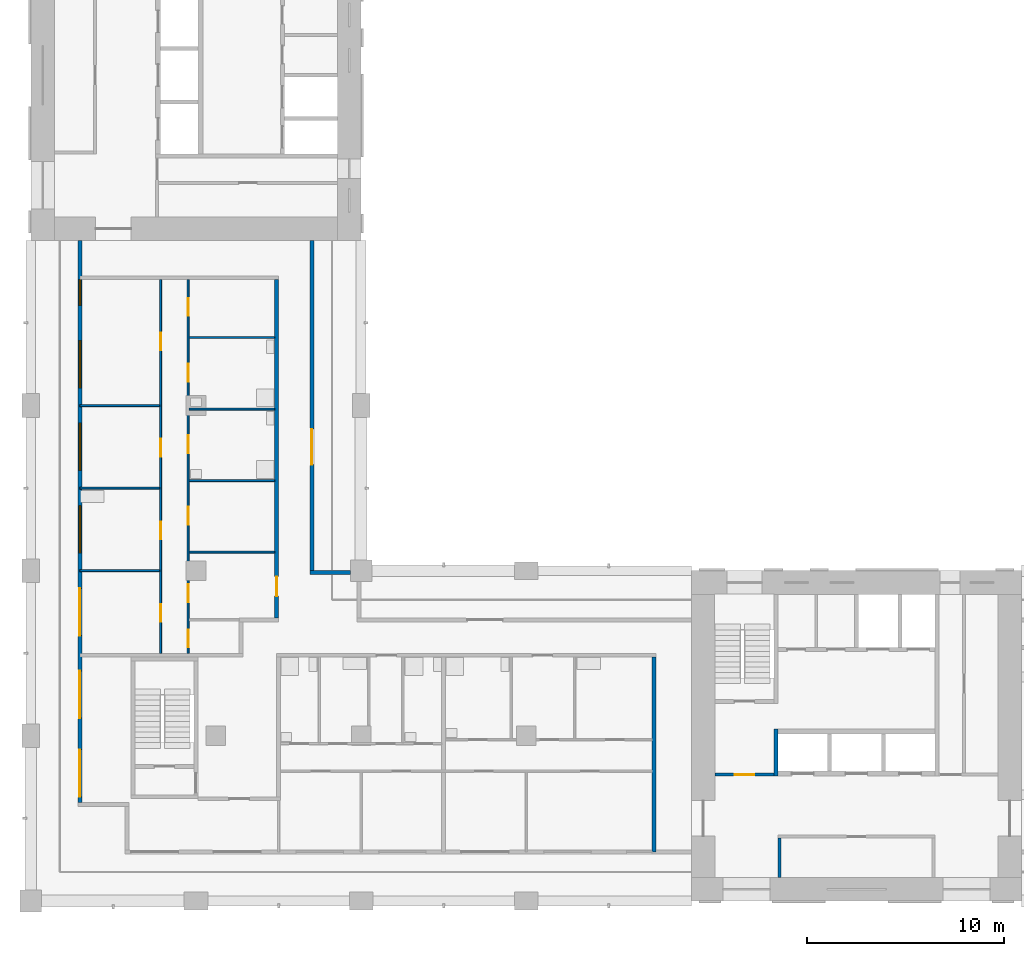
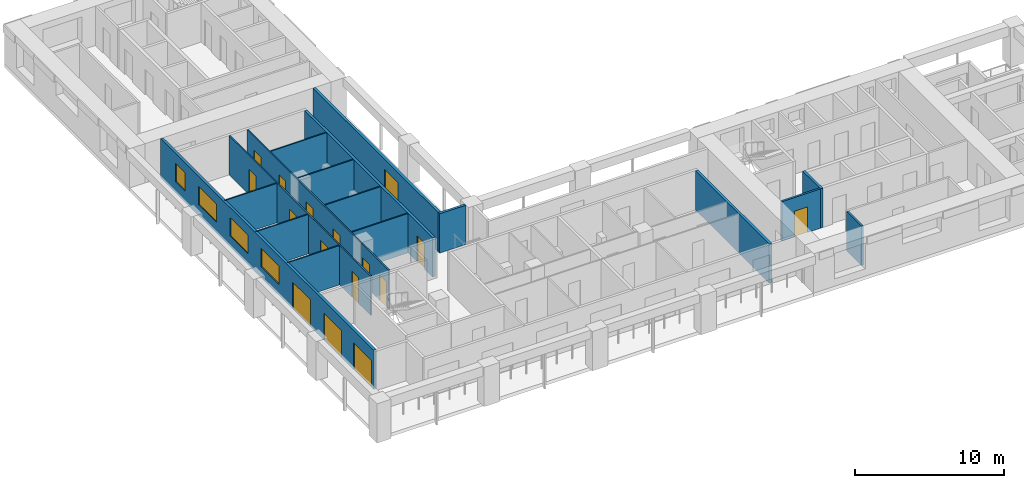
# One storey, part 3 of 10: 17 walls, 16 doors, 4 windows, 20 openings.
"""IFC4 building model written with IfcOpenShell, lengths in metres."""

from ifc_helpers import new_model, si_unit, direction, frame, frame_2d, origin, place, context, subcontext, project, spatial, rectangle, extrude, material, layer, layer_set, type_object, element, fill, save


model = new_model("IFC4")

# Units and contexts
model_context = context("Model", 3, precision=1e-05, world=origin(), true_north=direction((0.0, 1.0)))
body_context = subcontext(model_context, "Body", "Model", "MODEL_VIEW")
ifc_project = project(units=[si_unit("LENGTHUNIT", "METRE"), si_unit("AREAUNIT", "SQUARE_METRE"), si_unit("VOLUMEUNIT", "CUBIC_METRE"), si_unit("PLANEANGLEUNIT", "RADIAN"), si_unit("MASSUNIT", "GRAM", prefix="KILO")], contexts=[model_context])

# Site, building, storey
site_placement = place(None, origin())
site = spatial("IfcSite", under=ifc_project, at=site_placement, CompositionType="ELEMENT")
building_placement = place(site_placement, origin())
building = spatial("IfcBuilding", under=site, at=building_placement, Name="Vermilion Gate Residences", CompositionType="ELEMENT")
storey_placement = place(building_placement, frame((0.0, 0.0, 168.699951171875)))
storey = spatial("IfcBuildingStorey", under=building, at=storey_placement, Name="L43", CompositionType="ELEMENT", Elevation=168.699951171875)

# Wall
ifc_material_1 = material(Name="Masonry blockwork", Category="masonry")
ifc_layer_1 = layer(ifc_material_1, 0.14990234375)
ifc_layer_set_1 = layer_set([ifc_layer_1], Name="BLOCKWORK PARTITION 150 EI 120")
wall_type_1 = type_object("IfcWallType", Name="BLOCKWORK PARTITION 150 EI 120", PredefinedType="PARTITIONING", material=ifc_layer_set_1)
wall_1_placement = place(storey_placement, frame((46.47509765625, 9.60009765625, 0.0), z_axis=(0.0, 0.0, 1.0), x_axis=(0.0, 1.0, 0.0)))
element("IfcWall", 1, at=wall_1_placement, inside=storey, type_object=wall_type_1, Name="Core room partition A43-RW-W", PredefinedType="PARTITIONING", context=body_context, shape_type="SweptSolid", body=[
    extrude(rectangle(XDim=2.0, YDim=0.14990234375, at=frame_2d((1.0, 0.0))), origin(), (0.0, 0.0, 1.0), 3.219970703125),
])

# Wall, opening, door
wall_2_placement = place(storey_placement, frame((43.199951171875, 14.824951171875, 0.0), z_axis=(0.0, 0.0, 1.0), x_axis=(1.0, 0.0, 0.0)))
wall_2 = element("IfcWall", 2, at=wall_2_placement, inside=storey, type_object=wall_type_1, Name="Core room partition A43-VW-S", PredefinedType="PARTITIONING", context=body_context, shape_type="SweptSolid", body=[
    extrude(rectangle(XDim=3.0, YDim=0.14990234375, at=frame_2d((1.5, 0.0))), origin(), (0.0, 0.0, 1.0), 3.219970703125),
])
opening_1_placement = place(wall_2_placement, frame((1.0, 0.0, 0.0)))
opening_1 = element("IfcOpeningElement", 3, at=opening_1_placement, cuts=wall_2, Name="Opening DK43011", PredefinedType="OPENING", context=body_context, shape_type="SweptSolid", body=[
    extrude(rectangle(XDim=1.0, YDim=2.10009765625, at=frame_2d((0.5, 1.050048828125))), frame((0.0, 0.0849609375, 0.0), z_axis=(0.0, -1.0, 0.0), x_axis=(1.0, 0.0, 0.0)), (0.0, 0.0, 1.0), 0.169921875),
])
ifc_material_2 = material(Name="Steel", Category="steel")
door_type_1 = type_object("IfcDoorType", Name="FIRE DOOR FD60 1000 X 2100", OperationType="SINGLE_SWING_LEFT", PredefinedType="DOOR", material=ifc_material_2)
door_1_placement = place(opening_1_placement, frame((1.0, 0.0, 0.0), z_axis=(0.0, 0.0, 1.0), x_axis=(-1.0, 0.0, 0.0)))
door_1 = element("IfcDoor", 4, at=door_1_placement, inside=storey, type_object=door_type_1, Name="Stair vestibule door A43", OperationType="SINGLE_SWING_RIGHT", OverallHeight=2.10009765625, OverallWidth=1.0, PredefinedType="DOOR", context=body_context, shape_type="SweptSolid", body=[
    extrude(rectangle(XDim=1.0, YDim=2.10009765625, at=frame_2d((0.5, 1.050048828125))), frame((0.0, 0.02490234375, 0.0), z_axis=(0.0, -1.0, 0.0), x_axis=(1.0, 0.0, 0.0)), (0.0, 0.0, 1.0), 0.050048828125),
])
fill(opening_1, door_1)

# Wall, openings, doors, windows
ifc_material_3 = material(Name="Insulated steel stud wall with terracotta rainscreen", Category="masonry")
ifc_layer_2 = layer(ifc_material_3, 0.199951171875)
ifc_layer_set_2 = layer_set([ifc_layer_2], Name="EXTERNAL WALL 200 TERRACOTTA RAINSCREEN")
wall_type_2 = type_object("IfcWallType", Name="EXTERNAL WALL 200 TERRACOTTA RAINSCREEN", PredefinedType="SOLIDWALL", material=ifc_layer_set_2)
wall_3_placement = place(storey_placement, frame((10.89990234375, 42.0, 0.0), z_axis=(0.0, 0.0, 1.0), x_axis=(0.0, -1.0, 0.0)))
wall_3 = element("IfcWall", 5, at=wall_3_placement, inside=storey, type_object=wall_type_2, Name="External wall", PredefinedType="SOLIDWALL", context=body_context, shape_type="SweptSolid", body=[
    extrude(rectangle(XDim=28.60009765625, YDim=0.199951171875, at=frame_2d((14.300048828125, 0.0))), origin(), (0.0, 0.0, 1.0), 3.219970703125),
])
opening_2_placement = place(wall_3_placement, frame((25.89990234375, 0.0, 0.0)))
opening_2 = element("IfcOpeningElement", 6, at=opening_2_placement, cuts=wall_3, Name="Opening DE43001", PredefinedType="OPENING", context=body_context, shape_type="SweptSolid", body=[
    extrude(rectangle(XDim=2.39990234375, YDim=2.199951171875, at=frame_2d((1.199951171875, 1.10009765625))), frame((0.0, 0.10986328125, 0.0), z_axis=(0.0, -1.0, 0.0), x_axis=(1.0, 0.0, 0.0)), (0.0, 0.0, 1.0), 0.219970703125),
])
opening_3_placement = place(wall_3_placement, frame((21.89990234375, 0.0, 0.0)))
opening_3 = element("IfcOpeningElement", 7, at=opening_3_placement, cuts=wall_3, Name="Opening DE43002", PredefinedType="OPENING", context=body_context, shape_type="SweptSolid", body=[
    extrude(rectangle(XDim=2.39990234375, YDim=2.199951171875, at=frame_2d((1.199951171875, 1.10009765625))), frame((0.0, 0.10986328125, 0.0), z_axis=(0.0, -1.0, 0.0), x_axis=(1.0, 0.0, 0.0)), (0.0, 0.0, 1.0), 0.219970703125),
])
opening_4_placement = place(wall_3_placement, frame((17.699951171875, 0.0, 0.0)))
opening_4 = element("IfcOpeningElement", 8, at=opening_4_placement, cuts=wall_3, Name="Opening DE43003", PredefinedType="OPENING", context=body_context, shape_type="SweptSolid", body=[
    extrude(rectangle(XDim=2.39990234375, YDim=2.199951171875, at=frame_2d((1.199951171875, 1.10009765625))), frame((0.0, 0.10986328125, 0.0), z_axis=(0.0, -1.0, 0.0), x_axis=(1.0, 0.0, 0.0)), (0.0, 0.0, 1.0), 0.219970703125),
])
opening_5_placement = place(wall_3_placement, frame((13.5, 0.0, 0.89990234375)))
opening_5 = element("IfcOpeningElement", 9, at=opening_5_placement, cuts=wall_3, Name="Opening WE43004", PredefinedType="OPENING", context=body_context, shape_type="SweptSolid", body=[
    extrude(rectangle(XDim=2.39990234375, YDim=1.5, at=frame_2d((1.199951171875, 0.75))), frame((0.0, 0.10986328125, 0.0), z_axis=(0.0, -1.0, 0.0), x_axis=(1.0, 0.0, 0.0)), (0.0, 0.0, 1.0), 0.219970703125),
])
opening_6_placement = place(wall_3_placement, frame((9.300048828125, 0.0, 0.89990234375)))
opening_6 = element("IfcOpeningElement", 10, at=opening_6_placement, cuts=wall_3, Name="Opening WE43005", PredefinedType="OPENING", context=body_context, shape_type="SweptSolid", body=[
    extrude(rectangle(XDim=2.39990234375, YDim=1.5, at=frame_2d((1.199951171875, 0.75))), frame((0.0, 0.10986328125, 0.0), z_axis=(0.0, -1.0, 0.0), x_axis=(1.0, 0.0, 0.0)), (0.0, 0.0, 1.0), 0.219970703125),
])
opening_7_placement = place(wall_3_placement, frame((5.10009765625, 0.0, 0.89990234375)))
opening_7 = element("IfcOpeningElement", 11, at=opening_7_placement, cuts=wall_3, Name="Opening WE43006", PredefinedType="OPENING", context=body_context, shape_type="SweptSolid", body=[
    extrude(rectangle(XDim=2.39990234375, YDim=1.5, at=frame_2d((1.199951171875, 0.75))), frame((0.0, 0.10986328125, 0.0), z_axis=(0.0, -1.0, 0.0), x_axis=(1.0, 0.0, 0.0)), (0.0, 0.0, 1.0), 0.219970703125),
])
opening_8_placement = place(wall_3_placement, frame((2.0, 0.0, 0.89990234375)))
opening_8 = element("IfcOpeningElement", 12, at=opening_8_placement, cuts=wall_3, Name="Opening WE43007", PredefinedType="OPENING", context=body_context, shape_type="SweptSolid", body=[
    extrude(rectangle(XDim=1.300048828125, YDim=1.5, at=frame_2d((0.64990234375, 0.75))), frame((0.0, 0.10986328125, 0.0), z_axis=(0.0, -1.0, 0.0), x_axis=(1.0, 0.0, 0.0)), (0.0, 0.0, 1.0), 0.219970703125),
])
ifc_material_4 = material(Name="Aluminium and clear glass", Category="aluminium")
door_type_2 = type_object("IfcDoorType", Name="SLIDING GLAZED DOOR 2400 X 2200", OperationType="DOUBLE_DOOR_SLIDING", PredefinedType="DOOR", material=ifc_material_4)
door_2_placement = place(opening_2_placement, origin())
door_2 = element("IfcDoor", 13, at=door_2_placement, inside=storey, type_object=door_type_2, Name="Loggia sliding door", OperationType="DOUBLE_DOOR_SLIDING", OverallHeight=2.199951171875, OverallWidth=2.39990234375, PredefinedType="DOOR", context=body_context, shape_type="SweptSolid", body=[
    extrude(rectangle(XDim=2.39990234375, YDim=2.199951171875, at=frame_2d((1.199951171875, 1.10009765625))), frame((0.0, 0.02490234375, 0.0), z_axis=(0.0, -1.0, 0.0), x_axis=(1.0, 0.0, 0.0)), (0.0, 0.0, 1.0), 0.050048828125),
])
fill(opening_2, door_2)
door_3_placement = place(opening_3_placement, origin())
door_3 = element("IfcDoor", 14, at=door_3_placement, inside=storey, type_object=door_type_2, Name="Loggia sliding door", OperationType="DOUBLE_DOOR_SLIDING", OverallHeight=2.199951171875, OverallWidth=2.39990234375, PredefinedType="DOOR", context=body_context, shape_type="SweptSolid", body=[
    extrude(rectangle(XDim=2.39990234375, YDim=2.199951171875, at=frame_2d((1.199951171875, 1.10009765625))), frame((0.0, 0.02490234375, 0.0), z_axis=(0.0, -1.0, 0.0), x_axis=(1.0, 0.0, 0.0)), (0.0, 0.0, 1.0), 0.050048828125),
])
fill(opening_3, door_3)
door_4_placement = place(opening_4_placement, origin())
door_4 = element("IfcDoor", 15, at=door_4_placement, inside=storey, type_object=door_type_2, Name="Loggia sliding door", OperationType="DOUBLE_DOOR_SLIDING", OverallHeight=2.199951171875, OverallWidth=2.39990234375, PredefinedType="DOOR", context=body_context, shape_type="SweptSolid", body=[
    extrude(rectangle(XDim=2.39990234375, YDim=2.199951171875, at=frame_2d((1.199951171875, 1.10009765625))), frame((0.0, 0.02490234375, 0.0), z_axis=(0.0, -1.0, 0.0), x_axis=(1.0, 0.0, 0.0)), (0.0, 0.0, 1.0), 0.050048828125),
])
fill(opening_4, door_4)
ifc_material_5 = material(Name="Aluminium and clear glass", Category="aluminium")
window_type_1 = type_object("IfcWindowType", Name="WINDOW 1300 X 1500", PartitioningType="SINGLE_PANEL", PredefinedType="WINDOW", material=ifc_material_5)
window_1_placement = place(opening_8_placement, origin())
window_1 = element("IfcWindow", 16, at=window_1_placement, inside=storey, type_object=window_type_1, Name="Window", OverallHeight=1.5, OverallWidth=1.300048828125, PartitioningType="SINGLE_PANEL", PredefinedType="WINDOW", context=body_context, shape_type="SweptSolid", body=[
    extrude(rectangle(XDim=1.300048828125, YDim=1.5, at=frame_2d((0.64990234375, 0.75))), frame((0.0, 0.030029296875, 0.0), z_axis=(0.0, -1.0, 0.0), x_axis=(1.0, 0.0, 0.0)), (0.0, 0.0, 1.0), 0.06005859375),
])
fill(opening_8, window_1)
ifc_material_6 = material(Name="Aluminium and clear glass", Category="aluminium")
window_type_2 = type_object("IfcWindowType", Name="WINDOW 2400 X 1500", PartitioningType="SINGLE_PANEL", PredefinedType="WINDOW", material=ifc_material_6)
window_2_placement = place(opening_5_placement, origin())
window_2 = element("IfcWindow", 17, at=window_2_placement, inside=storey, type_object=window_type_2, Name="Window", OverallHeight=1.5, OverallWidth=2.39990234375, PartitioningType="SINGLE_PANEL", PredefinedType="WINDOW", context=body_context, shape_type="SweptSolid", body=[
    extrude(rectangle(XDim=2.39990234375, YDim=1.5, at=frame_2d((1.199951171875, 0.75))), frame((0.0, 0.030029296875, 0.0), z_axis=(0.0, -1.0, 0.0), x_axis=(1.0, 0.0, 0.0)), (0.0, 0.0, 1.0), 0.06005859375),
])
fill(opening_5, window_2)
window_3_placement = place(opening_6_placement, origin())
window_3 = element("IfcWindow", 18, at=window_3_placement, inside=storey, type_object=window_type_2, Name="Window", OverallHeight=1.5, OverallWidth=2.39990234375, PartitioningType="SINGLE_PANEL", PredefinedType="WINDOW", context=body_context, shape_type="SweptSolid", body=[
    extrude(rectangle(XDim=2.39990234375, YDim=1.5, at=frame_2d((1.199951171875, 0.75))), frame((0.0, 0.030029296875, 0.0), z_axis=(0.0, -1.0, 0.0), x_axis=(1.0, 0.0, 0.0)), (0.0, 0.0, 1.0), 0.06005859375),
])
fill(opening_6, window_3)
window_4_placement = place(opening_7_placement, origin())
window_4 = element("IfcWindow", 19, at=window_4_placement, inside=storey, type_object=window_type_2, Name="Window", OverallHeight=1.5, OverallWidth=2.39990234375, PartitioningType="SINGLE_PANEL", PredefinedType="WINDOW", context=body_context, shape_type="SweptSolid", body=[
    extrude(rectangle(XDim=2.39990234375, YDim=1.5, at=frame_2d((1.199951171875, 0.75))), frame((0.0, 0.030029296875, 0.0), z_axis=(0.0, -1.0, 0.0), x_axis=(1.0, 0.0, 0.0)), (0.0, 0.0, 1.0), 0.06005859375),
])
fill(opening_7, window_4)

# Wall
wall_4_placement = place(storey_placement, frame((24.64990234375, 25.10009765625, 0.0), z_axis=(0.0, 0.0, 1.0), x_axis=(-1.0, 0.0, 0.0)))
element("IfcWall", 20, at=wall_4_placement, inside=storey, type_object=wall_type_2, Name="External wall", PredefinedType="SOLIDWALL", context=body_context, shape_type="SweptSolid", body=[
    extrude(rectangle(XDim=2.0498046875, YDim=0.199951171875, at=frame_2d((1.02490234375, 0.0))), origin(), (0.0, 0.0, 1.0), 3.219970703125),
])

# Wall, opening, door
wall_5_placement = place(storey_placement, frame((22.699951171875, 25.199951171875, 0.0), z_axis=(0.0, 0.0, 1.0), x_axis=(0.0, 1.0, 0.0)))
wall_5 = element("IfcWall", 21, at=wall_5_placement, inside=storey, type_object=wall_type_2, Name="External wall", PredefinedType="SOLIDWALL", context=body_context, shape_type="SweptSolid", body=[
    extrude(rectangle(XDim=16.800048828125, YDim=0.199951171875, at=frame_2d((8.39990234375, 0.0))), origin(), (0.0, 0.0, 1.0), 3.219970703125),
])
opening_9_placement = place(wall_5_placement, frame((5.39990234375, 0.0, 0.0)))
opening_9 = element("IfcOpeningElement", 22, at=opening_9_placement, cuts=wall_5, Name="Opening DE43021", PredefinedType="OPENING", context=body_context, shape_type="SweptSolid", body=[
    extrude(rectangle(XDim=1.800048828125, YDim=2.39990234375, at=frame_2d((0.89990234375, 1.199951171875))), frame((0.0, 0.10986328125, 0.0), z_axis=(0.0, -1.0, 0.0), x_axis=(1.0, 0.0, 0.0)), (0.0, 0.0, 1.0), 0.219970703125),
])
ifc_material_7 = material(Name="Aluminium and clear glass", Category="aluminium")
door_type_3 = type_object("IfcDoorType", Name="GLAZED EXTERNAL DOOR 1800 X 2400", OperationType="DOUBLE_DOOR_SINGLE_SWING", PredefinedType="DOOR", material=ifc_material_7)
door_5_placement = place(opening_9_placement, frame((1.800048828125, 0.0, 0.0), z_axis=(0.0, 0.0, 1.0), x_axis=(-1.0, 0.0, 0.0)))
door_5 = element("IfcDoor", 23, at=door_5_placement, inside=storey, type_object=door_type_3, Name="Gallery door", OperationType="DOUBLE_DOOR_SINGLE_SWING", OverallHeight=2.39990234375, OverallWidth=1.800048828125, PredefinedType="DOOR", context=body_context, shape_type="SweptSolid", body=[
    extrude(rectangle(XDim=1.800048828125, YDim=2.39990234375, at=frame_2d((0.89990234375, 1.199951171875))), frame((0.0, 0.02490234375, 0.0), z_axis=(0.0, -1.0, 0.0), x_axis=(1.0, 0.0, 0.0)), (0.0, 0.0, 1.0), 0.050048828125),
])
fill(opening_9, door_5)

# Walls
ifc_material_8 = material(Name="Plasterboard on steel studs", Category="steel")
ifc_layer_3 = layer(ifc_material_8, 0.10009765625)
ifc_layer_set_3 = layer_set([ifc_layer_3], Name="PARTITION 100")
wall_type_3 = type_object("IfcWallType", Name="PARTITION 100", PredefinedType="PARTITIONING", material=ifc_layer_set_3)
wall_6_placement = place(storey_placement, frame((10.89990234375, 25.199951171875, 0.0), z_axis=(0.0, 0.0, 1.0), x_axis=(1.0, 0.0, 0.0)))
element("IfcWall", 24, at=wall_6_placement, inside=storey, type_object=wall_type_3, Name="Partition", PredefinedType="PARTITIONING", context=body_context, shape_type="SweptSolid", body=[
    extrude(rectangle(XDim=4.050048828125, YDim=0.10009765625, at=frame_2d((2.02490234375, 0.0))), origin(), (0.0, 0.0, 1.0), 3.219970703125),
])
wall_7_placement = place(storey_placement, frame((16.449951171875, 26.139892578125, 0.0), z_axis=(0.0, 0.0, 1.0), x_axis=(1.0, 0.0, 0.0)))
element("IfcWall", 25, at=wall_7_placement, inside=storey, type_object=wall_type_3, Name="Partition", PredefinedType="PARTITIONING", context=body_context, shape_type="SweptSolid", body=[
    extrude(rectangle(XDim=4.35009765625, YDim=0.10009765625, at=frame_2d((2.175048828125, 0.0))), origin(), (0.0, 0.0, 1.0), 3.219970703125),
])
wall_8_placement = place(storey_placement, frame((10.89990234375, 29.39990234375, 0.0), z_axis=(0.0, 0.0, 1.0), x_axis=(1.0, 0.0, 0.0)))
element("IfcWall", 26, at=wall_8_placement, inside=storey, type_object=wall_type_3, Name="Partition", PredefinedType="PARTITIONING", context=body_context, shape_type="SweptSolid", body=[
    extrude(rectangle(XDim=4.050048828125, YDim=0.10009765625, at=frame_2d((2.02490234375, 0.0))), origin(), (0.0, 0.0, 1.0), 3.219970703125),
])
for number, where, z_axis, x_axis, name in (
    (27, (16.449951171875, 29.780029296875, 0.0), (0.0, 0.0, 1.0), (1.0, 0.0, 0.0), "Partition"),
    (28, (16.449951171875, 33.419921875, 0.0), (0.0, 0.0, 1.0), (1.0, 0.0, 0.0), "Partition"),
):
    element("IfcWall", number, at=place(storey_placement, frame(where, z_axis=z_axis, x_axis=x_axis)), inside=storey, type_object=wall_type_3, Name=name, PredefinedType="PARTITIONING", context=body_context, shape_type="SweptSolid", body=[
        extrude(rectangle(XDim=4.35009765625, YDim=0.10009765625, at=frame_2d((2.175048828125, 0.0))), origin(), (0.0, 0.0, 1.0), 3.219970703125),
    ])
wall_9_placement = place(storey_placement, frame((10.89990234375, 33.60009765625, 0.0), z_axis=(0.0, 0.0, 1.0), x_axis=(1.0, 0.0, 0.0)))
element("IfcWall", 29, at=wall_9_placement, inside=storey, type_object=wall_type_3, Name="Partition", PredefinedType="PARTITIONING", context=body_context, shape_type="SweptSolid", body=[
    extrude(rectangle(XDim=4.050048828125, YDim=0.10009765625, at=frame_2d((2.02490234375, 0.0))), origin(), (0.0, 0.0, 1.0), 3.219970703125),
])
wall_10_placement = place(storey_placement, frame((16.449951171875, 37.06005859375, 0.0), z_axis=(0.0, 0.0, 1.0), x_axis=(1.0, 0.0, 0.0)))
element("IfcWall", 30, at=wall_10_placement, inside=storey, type_object=wall_type_3, Name="Partition", PredefinedType="PARTITIONING", context=body_context, shape_type="SweptSolid", body=[
    extrude(rectangle(XDim=4.35009765625, YDim=0.10009765625, at=frame_2d((2.175048828125, 0.0))), origin(), (0.0, 0.0, 1.0), 3.219970703125),
])

# Wall, openings, doors
wall_11_placement = place(storey_placement, frame((15.0, 21.0, 0.0), z_axis=(0.0, 0.0, 1.0), x_axis=(0.0, 1.0, 0.0)))
wall_11 = element("IfcWall", 31, at=wall_11_placement, inside=storey, type_object=wall_type_3, Name="Partition", PredefinedType="PARTITIONING", context=body_context, shape_type="SweptSolid", body=[
    extrude(rectangle(XDim=19.0, YDim=0.10009765625, at=frame_2d((9.5, 0.0))), origin(), (0.0, 0.0, 1.0), 3.219970703125),
])
opening_10_placement = place(wall_11_placement, frame((1.60009765625, 0.0, 0.0)))
opening_10 = element("IfcOpeningElement", 32, at=opening_10_placement, cuts=wall_11, Name="Opening DA43015", PredefinedType="OPENING", context=body_context, shape_type="SweptSolid", body=[
    extrude(rectangle(XDim=0.89990234375, YDim=2.10009765625, at=frame_2d((0.449951171875, 1.050048828125))), frame((0.0, 0.06005859375, 0.0), z_axis=(0.0, -1.0, 0.0), x_axis=(1.0, 0.0, 0.0)), (0.0, 0.0, 1.0), 0.1201171875),
])
opening_11_placement = place(wall_11_placement, frame((5.800048828125, 0.0, 0.0)))
opening_11 = element("IfcOpeningElement", 33, at=opening_11_placement, cuts=wall_11, Name="Opening DA43016", PredefinedType="OPENING", context=body_context, shape_type="SweptSolid", body=[
    extrude(rectangle(XDim=0.89990234375, YDim=2.10009765625, at=frame_2d((0.449951171875, 1.050048828125))), frame((0.0, 0.06005859375, 0.0), z_axis=(0.0, -1.0, 0.0), x_axis=(1.0, 0.0, 0.0)), (0.0, 0.0, 1.0), 0.1201171875),
])
opening_12_placement = place(wall_11_placement, frame((10.0, 0.0, 0.0)))
opening_12 = element("IfcOpeningElement", 34, at=opening_12_placement, cuts=wall_11, Name="Opening DA43017", PredefinedType="OPENING", context=body_context, shape_type="SweptSolid", body=[
    extrude(rectangle(XDim=0.89990234375, YDim=2.10009765625, at=frame_2d((0.449951171875, 1.050048828125))), frame((0.0, 0.06005859375, 0.0), z_axis=(0.0, -1.0, 0.0), x_axis=(1.0, 0.0, 0.0)), (0.0, 0.0, 1.0), 0.1201171875),
])
opening_13_placement = place(wall_11_placement, frame((15.39990234375, 0.0, 0.0)))
opening_13 = element("IfcOpeningElement", 35, at=opening_13_placement, cuts=wall_11, Name="Opening DA43018", PredefinedType="OPENING", context=body_context, shape_type="SweptSolid", body=[
    extrude(rectangle(XDim=0.89990234375, YDim=2.10009765625, at=frame_2d((0.449951171875, 1.050048828125))), frame((0.0, 0.06005859375, 0.0), z_axis=(0.0, -1.0, 0.0), x_axis=(1.0, 0.0, 0.0)), (0.0, 0.0, 1.0), 0.1201171875),
])
ifc_material_9 = material(Name="Timber", Category="wood")
door_type_4 = type_object("IfcDoorType", Name="INTERIOR DOOR 900 X 2100", OperationType="SINGLE_SWING_LEFT", PredefinedType="DOOR", material=ifc_material_9)
door_6_placement = place(opening_10_placement, origin())
door_6 = element("IfcDoor", 36, at=door_6_placement, inside=storey, type_object=door_type_4, Name="Interior door", OperationType="SINGLE_SWING_LEFT", OverallHeight=2.10009765625, OverallWidth=0.89990234375, PredefinedType="DOOR", context=body_context, shape_type="SweptSolid", body=[
    extrude(rectangle(XDim=0.89990234375, YDim=2.10009765625, at=frame_2d((0.449951171875, 1.050048828125))), frame((0.0, 0.02490234375, 0.0), z_axis=(0.0, -1.0, 0.0), x_axis=(1.0, 0.0, 0.0)), (0.0, 0.0, 1.0), 0.050048828125),
])
fill(opening_10, door_6)
door_7_placement = place(opening_11_placement, origin())
door_7 = element("IfcDoor", 37, at=door_7_placement, inside=storey, type_object=door_type_4, Name="Interior door", OperationType="SINGLE_SWING_LEFT", OverallHeight=2.10009765625, OverallWidth=0.89990234375, PredefinedType="DOOR", context=body_context, shape_type="SweptSolid", body=[
    extrude(rectangle(XDim=0.89990234375, YDim=2.10009765625, at=frame_2d((0.449951171875, 1.050048828125))), frame((0.0, 0.02490234375, 0.0), z_axis=(0.0, -1.0, 0.0), x_axis=(1.0, 0.0, 0.0)), (0.0, 0.0, 1.0), 0.050048828125),
])
fill(opening_11, door_7)
door_8_placement = place(opening_12_placement, origin())
door_8 = element("IfcDoor", 38, at=door_8_placement, inside=storey, type_object=door_type_4, Name="Interior door", OperationType="SINGLE_SWING_LEFT", OverallHeight=2.10009765625, OverallWidth=0.89990234375, PredefinedType="DOOR", context=body_context, shape_type="SweptSolid", body=[
    extrude(rectangle(XDim=0.89990234375, YDim=2.10009765625, at=frame_2d((0.449951171875, 1.050048828125))), frame((0.0, 0.02490234375, 0.0), z_axis=(0.0, -1.0, 0.0), x_axis=(1.0, 0.0, 0.0)), (0.0, 0.0, 1.0), 0.050048828125),
])
fill(opening_12, door_8)
door_9_placement = place(opening_13_placement, origin())
door_9 = element("IfcDoor", 39, at=door_9_placement, inside=storey, type_object=door_type_4, Name="Interior door", OperationType="SINGLE_SWING_RIGHT", OverallHeight=2.10009765625, OverallWidth=0.89990234375, PredefinedType="DOOR", context=body_context, shape_type="SweptSolid", body=[
    extrude(rectangle(XDim=0.89990234375, YDim=2.10009765625, at=frame_2d((0.449951171875, 1.050048828125))), frame((0.0, 0.02490234375, 0.0), z_axis=(0.0, -1.0, 0.0), x_axis=(1.0, 0.0, 0.0)), (0.0, 0.0, 1.0), 0.050048828125),
])
fill(opening_13, door_9)

wall_12_placement = place(storey_placement, frame((16.39990234375, 21.0, 0.0), z_axis=(0.0, 0.0, 1.0), x_axis=(0.0, 1.0, 0.0)))
wall_12 = element("IfcWall", 40, at=wall_12_placement, inside=storey, type_object=wall_type_3, Name="Partition", PredefinedType="PARTITIONING", context=body_context, shape_type="SweptSolid", body=[
    extrude(rectangle(XDim=19.0, YDim=0.10009765625, at=frame_2d((9.5, 0.0))), origin(), (0.0, 0.0, 1.0), 3.219970703125),
])
opening_14_placement = place(wall_12_placement, frame((2.60009765625, 0.0, 0.0)))
opening_14 = element("IfcOpeningElement", 41, at=opening_14_placement, cuts=wall_12, Name="Opening DA43019", PredefinedType="OPENING", context=body_context, shape_type="SweptSolid", body=[
    extrude(rectangle(XDim=0.89990234375, YDim=2.10009765625, at=frame_2d((0.449951171875, 1.050048828125))), frame((0.0, 0.06005859375, 0.0), z_axis=(0.0, -1.0, 0.0), x_axis=(1.0, 0.0, 0.0)), (0.0, 0.0, 1.0), 0.1201171875),
])
opening_15_placement = place(wall_12_placement, frame((0.300048828125, 0.0, 0.0)))
opening_15 = element("IfcOpeningElement", 42, at=opening_15_placement, cuts=wall_12, Name="Opening DA43020", PredefinedType="OPENING", context=body_context, shape_type="SweptSolid", body=[
    extrude(rectangle(XDim=0.89990234375, YDim=2.10009765625, at=frame_2d((0.449951171875, 1.050048828125))), frame((0.0, 0.06005859375, 0.0), z_axis=(0.0, -1.0, 0.0), x_axis=(1.0, 0.0, 0.0)), (0.0, 0.0, 1.0), 0.1201171875),
])
opening_16_placement = place(wall_12_placement, frame((6.5400390625, 0.0, 0.0)))
opening_16 = element("IfcOpeningElement", 43, at=opening_16_placement, cuts=wall_12, Name="Opening DA43021", PredefinedType="OPENING", context=body_context, shape_type="SweptSolid", body=[
    extrude(rectangle(XDim=0.89990234375, YDim=2.10009765625, at=frame_2d((0.449951171875, 1.050048828125))), frame((0.0, 0.06005859375, 0.0), z_axis=(0.0, -1.0, 0.0), x_axis=(1.0, 0.0, 0.0)), (0.0, 0.0, 1.0), 0.1201171875),
])
opening_17_placement = place(wall_12_placement, frame((10.179931640625, 0.0, 0.0)))
opening_17 = element("IfcOpeningElement", 44, at=opening_17_placement, cuts=wall_12, Name="Opening DA43022", PredefinedType="OPENING", context=body_context, shape_type="SweptSolid", body=[
    extrude(rectangle(XDim=0.89990234375, YDim=2.10009765625, at=frame_2d((0.449951171875, 1.050048828125))), frame((0.0, 0.06005859375, 0.0), z_axis=(0.0, -1.0, 0.0), x_axis=(1.0, 0.0, 0.0)), (0.0, 0.0, 1.0), 0.1201171875),
])
opening_18_placement = place(wall_12_placement, frame((13.820068359375, 0.0, 0.0)))
opening_18 = element("IfcOpeningElement", 45, at=opening_18_placement, cuts=wall_12, Name="Opening DA43023", PredefinedType="OPENING", context=body_context, shape_type="SweptSolid", body=[
    extrude(rectangle(XDim=0.89990234375, YDim=2.10009765625, at=frame_2d((0.449951171875, 1.050048828125))), frame((0.0, 0.06005859375, 0.0), z_axis=(0.0, -1.0, 0.0), x_axis=(1.0, 0.0, 0.0)), (0.0, 0.0, 1.0), 0.1201171875),
])
opening_19_placement = place(wall_12_placement, frame((17.159912109375, 0.0, 0.0)))
opening_19 = element("IfcOpeningElement", 46, at=opening_19_placement, cuts=wall_12, Name="Opening DA43024", PredefinedType="OPENING", context=body_context, shape_type="SweptSolid", body=[
    extrude(rectangle(XDim=0.89990234375, YDim=2.10009765625, at=frame_2d((0.449951171875, 1.050048828125))), frame((0.0, 0.06005859375, 0.0), z_axis=(0.0, -1.0, 0.0), x_axis=(1.0, 0.0, 0.0)), (0.0, 0.0, 1.0), 0.1201171875),
])
door_10_placement = place(opening_14_placement, frame((0.89990234375, 0.0, 0.0), z_axis=(0.0, 0.0, 1.0), x_axis=(-1.0, 0.0, 0.0)))
door_10 = element("IfcDoor", 47, at=door_10_placement, inside=storey, type_object=door_type_4, Name="Interior door", OperationType="SINGLE_SWING_LEFT", OverallHeight=2.10009765625, OverallWidth=0.89990234375, PredefinedType="DOOR", context=body_context, shape_type="SweptSolid", body=[
    extrude(rectangle(XDim=0.89990234375, YDim=2.10009765625, at=frame_2d((0.449951171875, 1.050048828125))), frame((0.0, 0.02490234375, 0.0), z_axis=(0.0, -1.0, 0.0), x_axis=(1.0, 0.0, 0.0)), (0.0, 0.0, 1.0), 0.050048828125),
])
fill(opening_14, door_10)
door_11_placement = place(opening_15_placement, frame((0.89990234375, 0.0, 0.0), z_axis=(0.0, 0.0, 1.0), x_axis=(-1.0, 0.0, 0.0)))
door_11 = element("IfcDoor", 48, at=door_11_placement, inside=storey, type_object=door_type_4, Name="Interior door", OperationType="SINGLE_SWING_RIGHT", OverallHeight=2.10009765625, OverallWidth=0.89990234375, PredefinedType="DOOR", context=body_context, shape_type="SweptSolid", body=[
    extrude(rectangle(XDim=0.89990234375, YDim=2.10009765625, at=frame_2d((0.449951171875, 1.050048828125))), frame((0.0, 0.02490234375, 0.0), z_axis=(0.0, -1.0, 0.0), x_axis=(1.0, 0.0, 0.0)), (0.0, 0.0, 1.0), 0.050048828125),
])
fill(opening_15, door_11)
door_12_placement = place(opening_16_placement, frame((0.89990234375, 0.0, 0.0), z_axis=(0.0, 0.0, 1.0), x_axis=(-1.0, 0.0, 0.0)))
door_12 = element("IfcDoor", 49, at=door_12_placement, inside=storey, type_object=door_type_4, Name="Interior door", OperationType="SINGLE_SWING_LEFT", OverallHeight=2.10009765625, OverallWidth=0.89990234375, PredefinedType="DOOR", context=body_context, shape_type="SweptSolid", body=[
    extrude(rectangle(XDim=0.89990234375, YDim=2.10009765625, at=frame_2d((0.449951171875, 1.050048828125))), frame((0.0, 0.02490234375, 0.0), z_axis=(0.0, -1.0, 0.0), x_axis=(1.0, 0.0, 0.0)), (0.0, 0.0, 1.0), 0.050048828125),
])
fill(opening_16, door_12)
door_13_placement = place(opening_17_placement, frame((0.89990234375, 0.0, 0.0), z_axis=(0.0, 0.0, 1.0), x_axis=(-1.0, 0.0, 0.0)))
door_13 = element("IfcDoor", 50, at=door_13_placement, inside=storey, type_object=door_type_4, Name="Interior door", OperationType="SINGLE_SWING_RIGHT", OverallHeight=2.10009765625, OverallWidth=0.89990234375, PredefinedType="DOOR", context=body_context, shape_type="SweptSolid", body=[
    extrude(rectangle(XDim=0.89990234375, YDim=2.10009765625, at=frame_2d((0.449951171875, 1.050048828125))), frame((0.0, 0.02490234375, 0.0), z_axis=(0.0, -1.0, 0.0), x_axis=(1.0, 0.0, 0.0)), (0.0, 0.0, 1.0), 0.050048828125),
])
fill(opening_17, door_13)
door_14_placement = place(opening_18_placement, frame((0.89990234375, 0.0, 0.0), z_axis=(0.0, 0.0, 1.0), x_axis=(-1.0, 0.0, 0.0)))
door_14 = element("IfcDoor", 51, at=door_14_placement, inside=storey, type_object=door_type_4, Name="Interior door", OperationType="SINGLE_SWING_RIGHT", OverallHeight=2.10009765625, OverallWidth=0.89990234375, PredefinedType="DOOR", context=body_context, shape_type="SweptSolid", body=[
    extrude(rectangle(XDim=0.89990234375, YDim=2.10009765625, at=frame_2d((0.449951171875, 1.050048828125))), frame((0.0, 0.02490234375, 0.0), z_axis=(0.0, -1.0, 0.0), x_axis=(1.0, 0.0, 0.0)), (0.0, 0.0, 1.0), 0.050048828125),
])
fill(opening_18, door_14)
door_15_placement = place(opening_19_placement, frame((0.89990234375, 0.0, 0.0), z_axis=(0.0, 0.0, 1.0), x_axis=(-1.0, 0.0, 0.0)))
door_15 = element("IfcDoor", 52, at=door_15_placement, inside=storey, type_object=door_type_4, Name="Interior door", OperationType="SINGLE_SWING_LEFT", OverallHeight=2.10009765625, OverallWidth=0.89990234375, PredefinedType="DOOR", context=body_context, shape_type="SweptSolid", body=[
    extrude(rectangle(XDim=0.89990234375, YDim=2.10009765625, at=frame_2d((0.449951171875, 1.050048828125))), frame((0.0, 0.02490234375, 0.0), z_axis=(0.0, -1.0, 0.0), x_axis=(1.0, 0.0, 0.0)), (0.0, 0.0, 1.0), 0.050048828125),
])
fill(opening_19, door_15)

# Wall, opening, door
ifc_material_10 = material(Name="Fire-rated plasterboard on steel studs", Category="steel")
ifc_layer_4 = layer(ifc_material_10, 0.199951171875)
ifc_layer_set_4 = layer_set([ifc_layer_4], Name="PARTY WALL 200 EI 120")
wall_type_4 = type_object("IfcWallType", Name="PARTY WALL 200 EI 120", PredefinedType="PARTITIONING", material=ifc_layer_set_4)
wall_13_placement = place(storey_placement, frame((20.89990234375, 22.800048828125, 0.0), z_axis=(0.0, 0.0, 1.0), x_axis=(0.0, 1.0, 0.0)))
wall_13 = element("IfcWall", 53, at=wall_13_placement, inside=storey, type_object=wall_type_4, Name="Party and corridor wall", PredefinedType="PARTITIONING", context=body_context, shape_type="SweptSolid", body=[
    extrude(rectangle(XDim=17.199951171875, YDim=0.199951171875, at=frame_2d((8.60009765625, 0.0))), origin(), (0.0, 0.0, 1.0), 3.219970703125),
])
opening_20_placement = place(wall_13_placement, frame((1.10009765625, 0.0, 0.0)))
opening_20 = element("IfcOpeningElement", 54, at=opening_20_placement, cuts=wall_13, Name="Opening DA43025", PredefinedType="OPENING", context=body_context, shape_type="SweptSolid", body=[
    extrude(rectangle(XDim=1.0, YDim=2.10009765625, at=frame_2d((0.5, 1.050048828125))), frame((0.0, 0.10986328125, 0.0), z_axis=(0.0, -1.0, 0.0), x_axis=(1.0, 0.0, 0.0)), (0.0, 0.0, 1.0), 0.219970703125),
])
ifc_material_11 = material(Name="Steel", Category="steel")
door_type_5 = type_object("IfcDoorType", Name="ENTRANCE DOOR 1000 X 2100 FD30", OperationType="SINGLE_SWING_LEFT", PredefinedType="DOOR", material=ifc_material_11)
door_16_placement = place(opening_20_placement, origin())
door_16 = element("IfcDoor", 55, at=door_16_placement, inside=storey, type_object=door_type_5, Name="Entrance door", OperationType="SINGLE_SWING_LEFT", OverallHeight=2.10009765625, OverallWidth=1.0, PredefinedType="DOOR", context=body_context, shape_type="SweptSolid", body=[
    extrude(rectangle(XDim=1.0, YDim=2.10009765625, at=frame_2d((0.5, 1.050048828125))), frame((0.0, 0.02490234375, 0.0), z_axis=(0.0, -1.0, 0.0), x_axis=(1.0, 0.0, 0.0)), (0.0, 0.0, 1.0), 0.050048828125),
])
fill(opening_20, door_16)

# Walls
wall_14_placement = place(storey_placement, frame((40.10009765625, 10.89990234375, 0.0), z_axis=(0.0, 0.0, 1.0), x_axis=(0.0, 1.0, 0.0)))
element("IfcWall", 56, at=wall_14_placement, inside=storey, type_object=wall_type_4, Name="Party and corridor wall", PredefinedType="PARTITIONING", context=body_context, shape_type="SweptSolid", body=[
    extrude(rectangle(XDim=9.900146484375, YDim=0.199951171875, at=frame_2d((4.9501953125, 0.0))), origin(), (0.0, 0.0, 1.0), 3.219970703125),
])
ifc_material_12 = material(Name="Concrete C60", Category="concrete")
ifc_layer_5 = layer(ifc_material_12, 0.199951171875)
ifc_layer_set_5 = layer_set([ifc_layer_5], Name="RC CORE INTERNAL WALL 200 C60")
wall_type_5 = type_object("IfcWallType", Name="RC CORE INTERNAL WALL 200 C60", PredefinedType="SHEAR", material=ifc_layer_set_5)
wall_15_placement = place(storey_placement, frame((46.300048828125, 14.75, 0.0), z_axis=(0.0, 0.0, 1.0), x_axis=(0.0, 1.0, 0.0)))
element("IfcWall", 57, at=wall_15_placement, inside=storey, type_object=wall_type_5, Name="Core internal wall A43-WDIV1", PredefinedType="SHEAR", context=body_context, shape_type="SweptSolid", body=[
    extrude(rectangle(XDim=2.39990234375, YDim=0.199951171875, at=frame_2d((1.199951171875, 0.0))), origin(), (0.0, 0.0, 1.0), 3.219970703125),
])

save(model, "model.ifc")
